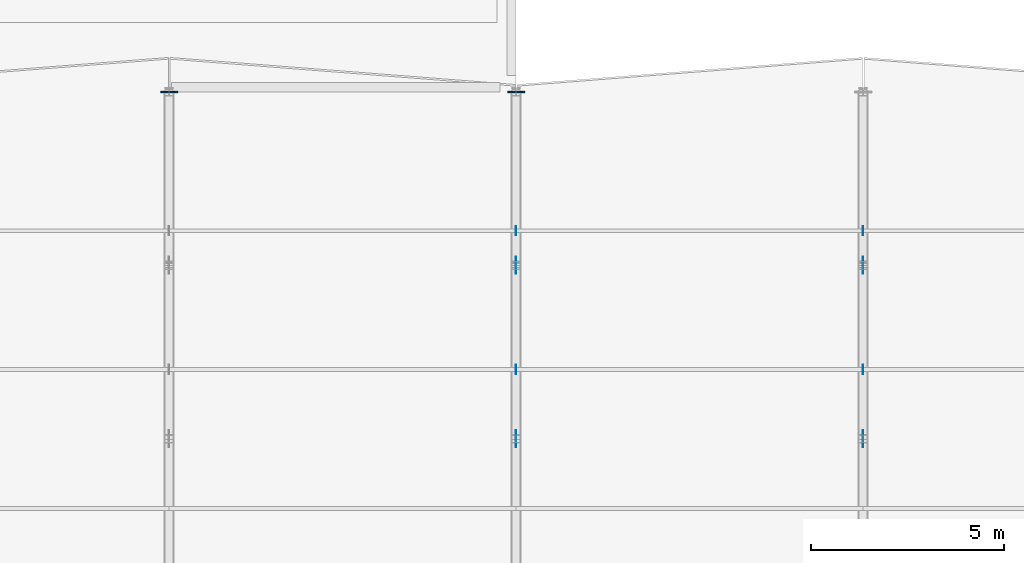
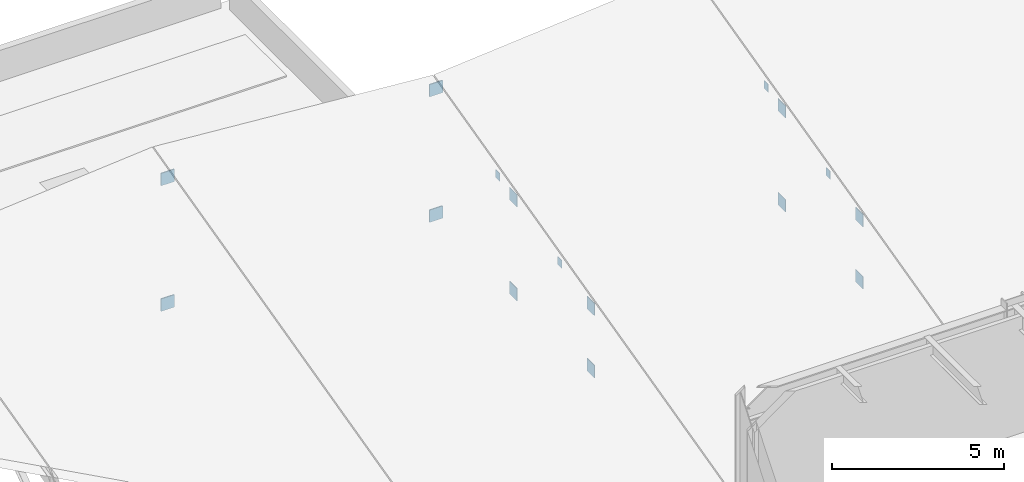
# One storey, part 49 of 67: 16 plates.
"""IFC4 building model written with IfcOpenShell, lengths in metres."""

from ifc_helpers import new_model, si_unit, direction, frame, origin, origin_2d, place, context, subcontext, project, spatial, rectangle, extrude, material, layer, layer_set, type_object, element, save


model = new_model("IFC4")

# Units and contexts
model_context = context("Model", 3, precision=1e-05, world=origin(), true_north=direction((0.0, 1.0)))
body_context = subcontext(model_context, "Body", "Model", "MODEL_VIEW")
ifc_project = project(units=[si_unit("LENGTHUNIT", "METRE"), si_unit("AREAUNIT", "SQUARE_METRE"), si_unit("VOLUMEUNIT", "CUBIC_METRE"), si_unit("PLANEANGLEUNIT", "RADIAN"), si_unit("MASSUNIT", "GRAM", prefix="KILO")], contexts=[model_context])

# Site, building, storey
site_placement = place(None, origin())
site = spatial("IfcSite", under=ifc_project, at=site_placement, CompositionType="ELEMENT")
building_placement = place(site_placement, origin())
building = spatial("IfcBuilding", under=site, at=building_placement, Name="Montelvaro Courts of Justice", CompositionType="ELEMENT")
storey_placement = place(building_placement, frame((0.0, 0.0, 18.89990234375)))
storey = spatial("IfcBuildingStorey", under=building, at=storey_placement, Name="L04", CompositionType="ELEMENT", Elevation=18.89990234375)

# Plates
ifc_material = material(Name="Steel S355", Category="steel")
ifc_layer_1 = layer(ifc_material, 0.011962890625)
ifc_layer_set_1 = layer_set([ifc_layer_1], Name="Steel S355")
plate_type_1 = type_object("IfcPlateType", Name="EndCapPlate_12", PredefinedType="USERDEFINED", material=ifc_layer_set_1)
for number, where, z_axis, x_axis, name in (
    (1, (45.0, 34.800048828125, 2.2099609375), (0.0, 0.0, 1.0), (1.0, 0.0, 0.0), "Purlin End Cap Plate CP-01 03-3M-B"),
    (2, (45.0, 38.39990234375, 3.10986328125), (0.0, 0.0, 1.0), (1.0, 0.0, 0.0), "Purlin End Cap Plate CP-01 03-4M-B"),
    (3, (54.0, 34.800048828125, 2.2099609375), (0.0, 0.0, 1.0), (1.0, 0.0, 0.0), "Purlin End Cap Plate CP-01 04-3M-B"),
    (4, (54.0, 38.39990234375, 3.10986328125), (0.0, 0.0, 1.0), (1.0, 0.0, 0.0), "Purlin End Cap Plate CP-01 04-4M-B"),
):
    element("IfcPlate", number, at=place(storey_placement, frame(where, z_axis=z_axis, x_axis=x_axis)), inside=storey, type_object=plate_type_1, Name=name, ObjectType="GUSSET PLATE", PredefinedType="USERDEFINED", context=body_context, shape_type="SweptSolid", body=[
        extrude(rectangle(XDim=0.011962890625, YDim=0.239990234375, at=origin_2d()), origin(), (0.0, 0.0, 1.0), 0.280029296875),
    ])
ifc_layer_2 = layer(ifc_material, 0.035888671875)
ifc_layer_set_2 = layer_set([ifc_layer_2], Name="Steel S355")
plate_type_2 = type_object("IfcPlateType", Name="EndCapPlate_36", PredefinedType="USERDEFINED", material=ifc_layer_set_2)
for number, where, z_axis, x_axis, name in (
    (5, (36.0, 42.0, -0.519775390625), (0.0, 0.0, 1.0), (1.0, 0.0, 0.0), "Roof Truss End Cap Plate CP-02 ROOF-V3-VTR03-B1"),
    (6, (36.0, 42.0, 3.93017578125), (0.0, 0.0, 1.0), (1.0, 0.0, 0.0), "Roof Truss End Cap Plate CP-02 ROOF-V3-VTR03-T1"),
    (7, (45.0, 42.0, -0.519775390625), (0.0, 0.0, 1.0), (1.0, 0.0, 0.0), "Roof Truss End Cap Plate CP-02 ROOF-V3-VTR04-B1"),
    (8, (45.0, 42.0, 3.93017578125), (0.0, 0.0, 1.0), (1.0, 0.0, 0.0), "Roof Truss End Cap Plate CP-02 ROOF-V3-VTR04-T1"),
):
    element("IfcPlate", number, at=place(storey_placement, frame(where, z_axis=z_axis, x_axis=x_axis)), inside=storey, type_object=plate_type_2, Name=name, ObjectType="GUSSET PLATE", PredefinedType="USERDEFINED", context=body_context, shape_type="SweptSolid", body=[
        extrude(rectangle(XDim=0.43994140625, YDim=0.035888671875, at=origin_2d()), origin(), (0.0, 0.0, 1.0), 0.43994140625),
    ])
ifc_layer_3 = layer(ifc_material, 0.02001953125)
ifc_layer_set_3 = layer_set([ifc_layer_3], Name="Steel S355")
plate_type_3 = type_object("IfcPlateType", Name="GussetPlate_20", PredefinedType="USERDEFINED", material=ifc_layer_set_3)
for number, where, z_axis, x_axis, name in (
    (9, (45.0, 33.0, -0.519775390625), (0.0, 0.0, 1.0), (1.0, 0.0, 0.0), "Roof Truss Gusset Plate GP-01 ROOF-V3-VTR04-2B"),
    (10, (45.0, 33.0, 1.68017578125), (0.0, 0.0, 1.0), (1.0, 0.0, 0.0), "Roof Truss Gusset Plate GP-01 ROOF-V3-VTR04-2T"),
    (11, (45.0, 37.5, -0.519775390625), (0.0, 0.0, 1.0), (1.0, 0.0, 0.0), "Roof Truss Gusset Plate GP-01 ROOF-V3-VTR04-3B"),
    (12, (45.0, 37.5, 2.80517578125), (0.0, 0.0, 1.0), (1.0, 0.0, 0.0), "Roof Truss Gusset Plate GP-01 ROOF-V3-VTR04-3T"),
    (13, (54.0, 33.0, -0.519775390625), (0.0, 0.0, 1.0), (1.0, 0.0, 0.0), "Roof Truss Gusset Plate GP-01 ROOF-V3-VTR05-2B"),
    (14, (54.0, 33.0, 1.68017578125), (0.0, 0.0, 1.0), (1.0, 0.0, 0.0), "Roof Truss Gusset Plate GP-01 ROOF-V3-VTR05-2T"),
    (15, (54.0, 37.5, -0.519775390625), (0.0, 0.0, 1.0), (1.0, 0.0, 0.0), "Roof Truss Gusset Plate GP-01 ROOF-V3-VTR05-3B"),
    (16, (54.0, 37.5, 2.80517578125), (0.0, 0.0, 1.0), (1.0, 0.0, 0.0), "Roof Truss Gusset Plate GP-01 ROOF-V3-VTR05-3T"),
):
    element("IfcPlate", number, at=place(storey_placement, frame(where, z_axis=z_axis, x_axis=x_axis)), inside=storey, type_object=plate_type_3, Name=name, ObjectType="GUSSET PLATE", PredefinedType="USERDEFINED", context=body_context, shape_type="SweptSolid", body=[
        extrude(rectangle(XDim=0.02001953125, YDim=0.43994140625, at=origin_2d()), origin(), (0.0, 0.0, 1.0), 0.43994140625),
    ])

save(model, "model.ifc")
